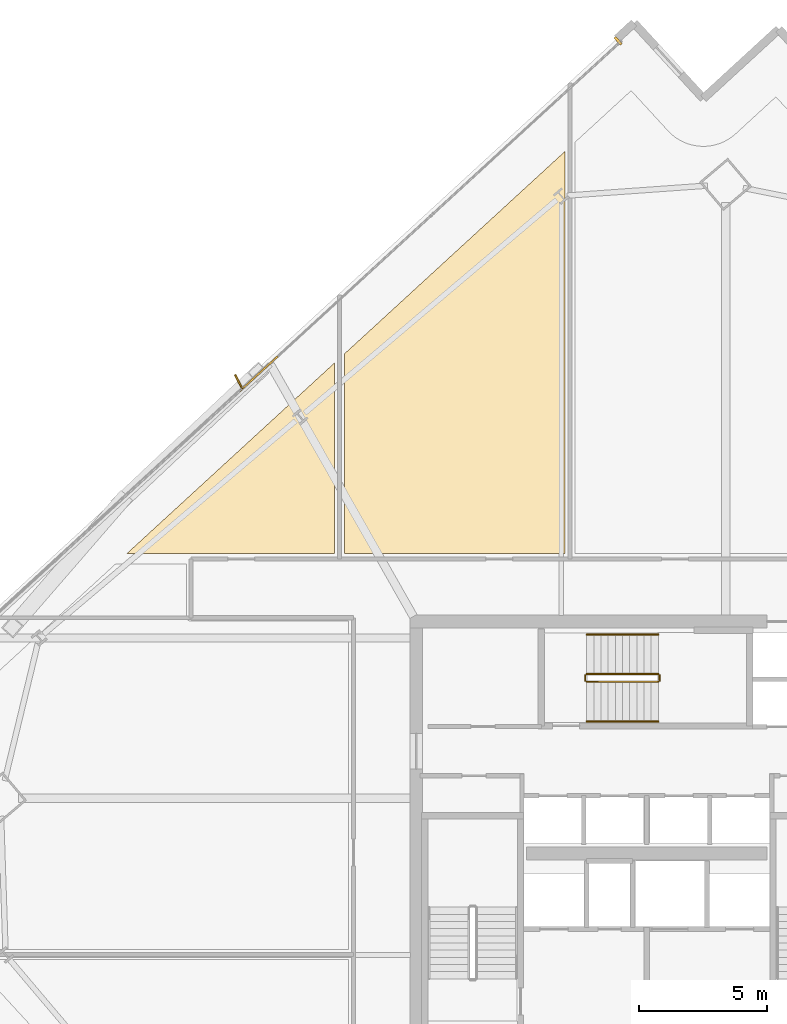
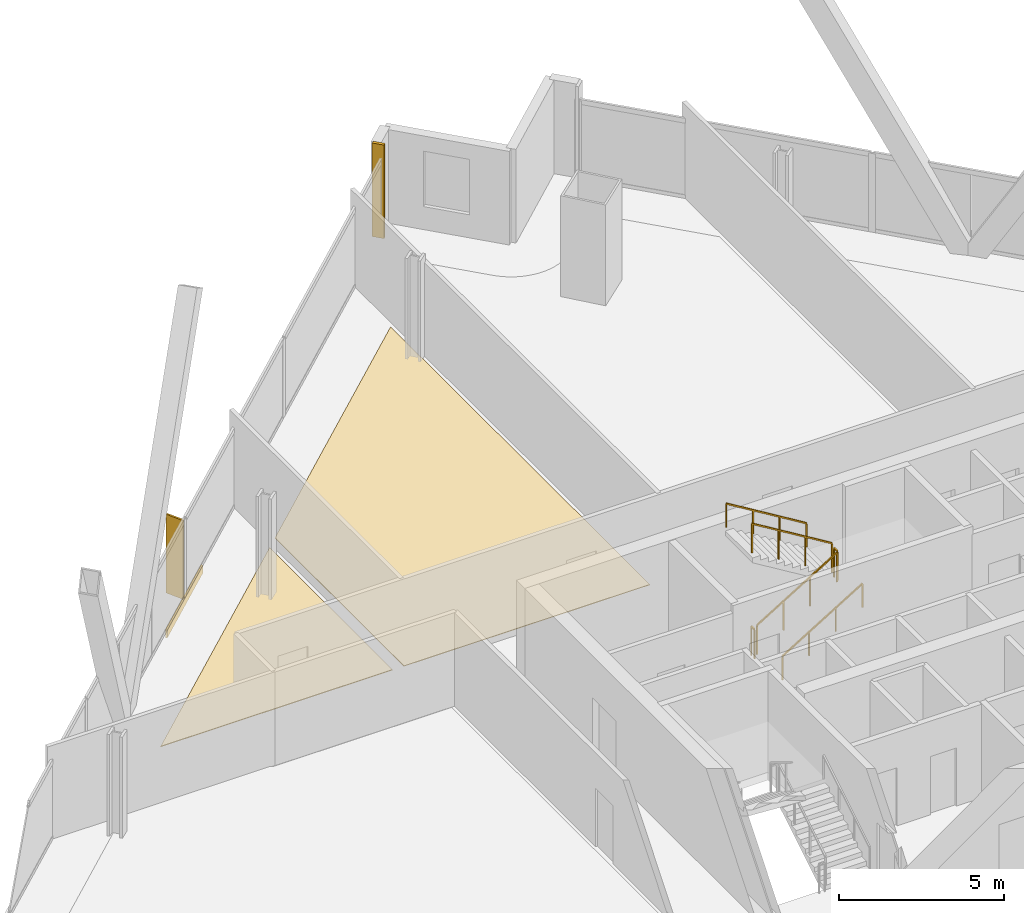
# One storey, part 31 of 32: 6 railings, 4 coverings, 1 shading device.
"""IFC4 building model written with IfcOpenShell, lengths in metres."""

from ifc_helpers import new_model, si_unit, direction, frame, origin, origin_2d, place, context, subcontext, project, spatial, polyline, rectangle, outline, extrude, source, transform, mapped, material, layer, layer_set, type_object, element, save


model = new_model("IFC4")

# Units and contexts
model_context = context("Model", 3, precision=1e-05, world=origin(), true_north=direction((0.0, 1.0)))
body_context = subcontext(model_context, "Body", "Model", "MODEL_VIEW")
ifc_project = project(units=[si_unit("LENGTHUNIT", "METRE"), si_unit("AREAUNIT", "SQUARE_METRE"), si_unit("VOLUMEUNIT", "CUBIC_METRE"), si_unit("PLANEANGLEUNIT", "RADIAN"), si_unit("MASSUNIT", "GRAM", prefix="KILO")], contexts=[model_context])

# Site, building, storey
site_placement = place(None, origin())
site = spatial("IfcSite", under=ifc_project, at=site_placement, CompositionType="ELEMENT")
building_placement = place(site_placement, origin())
building = spatial("IfcBuilding", under=site, at=building_placement, Name="Haldenkirk Collegiate Tower", CompositionType="ELEMENT")
storey_placement = place(building_placement, frame((0.0, 0.0, 170.699951171875)))
storey = spatial("IfcBuildingStorey", under=building, at=storey_placement, Name="L42", CompositionType="ELEMENT", Elevation=170.699951171875)

# Coverings
ifc_material_1 = material(Name="Polished collegiate terrazzo", Category="concrete")
ifc_layer_1 = layer(ifc_material_1, 0.02490234375)
ifc_layer_set_1 = layer_set([ifc_layer_1], Name="Polished collegiate terrazzo")
covering_type_1 = type_object("IfcCoveringType", Name="COV-FLOOR-TERRAZZO", PredefinedType="FLOORING", material=ifc_layer_set_1)
covering_1_placement = place(storey_placement, origin())
element("IfcCovering", 1, at=covering_1_placement, inside=storey, type_object=covering_type_1, Name="L42 academic room finish 04", PredefinedType="FLOORING", context=body_context, shape_type="SweptSolid", body=[
    extrude(outline(polyline([(23.800048828125, 44.094482421875), (23.800048828125, 36.64990234375), (15.68994140625, 36.64990234375), (23.800048828125, 44.094482421875)])), origin(), (0.0, 0.0, 1.0), 0.025146484375),
])
ifc_material_2 = material(Name="Engineered collegiate oak acoustic flooring", Category="wood")
ifc_layer_2 = layer(ifc_material_2, 0.02197265625)
ifc_layer_set_2 = layer_set([ifc_layer_2], Name="Engineered collegiate oak acoustic flooring")
covering_type_2 = type_object("IfcCoveringType", Name="COV-FLOOR-TIMBER", PredefinedType="FLOORING", material=ifc_layer_set_2)
covering_2_placement = place(storey_placement, origin())
element("IfcCovering", 2, at=covering_2_placement, inside=storey, type_object=covering_type_2, Name="L42 academic room finish 05", PredefinedType="FLOORING", context=body_context, shape_type="SweptSolid", body=[
    extrude(outline(polyline([(32.800048828125, 52.35595703125), (32.800048828125, 36.64990234375), (24.199951171875, 36.64990234375), (24.199951171875, 44.461669921875), (32.800048828125, 52.35595703125)])), origin(), (0.0, 0.0, 1.0), 0.02197265625),
])

# Railings
ifc_material_3 = material(Name="Painted architectural tubular steel", Category="steel")
railing_type_1 = type_object("IfcRailingType", Name="RLG-STAIR-GUARD-1100", PredefinedType="BALUSTRADE", material=ifc_material_3)
railing_1_placement = place(storey_placement, frame((33.64990234375, 31.64990234375, 0.17041015625)))
element("IfcRailing", 3, at=railing_1_placement, inside=storey, type_object=railing_type_1, Name="L42 ST-3 stair guard 1", PredefinedType="BALUSTRADE", context=body_context, shape_type="SweptSolid", body=[
    extrude(rectangle(XDim=0.048095703125, YDim=0.048095703125, at=origin_2d()), frame((0.0, 0.0, 1.076171875), z_axis=(0.854169791009, 0.0, 0.51999420009), x_axis=(0.0, 1.0, 0.0)), (0.0, 0.0, 1.0), 3.278076171875),
    extrude(rectangle(XDim=0.0419921875, YDim=0.0419921875, at=origin_2d()), origin(), (0.0, 0.0, 1.0), 1.052001953125),
    extrude(rectangle(XDim=0.0419921875, YDim=0.0419921875, at=origin_2d()), frame((0.933349609375, 0.0, 0.568115234375)), (0.0, 0.0, 1.0), 1.052001953125),
    extrude(rectangle(XDim=0.0419921875, YDim=0.0419921875, at=origin_2d()), frame((1.86669921875, 0.0, 1.136474609375)), (0.0, 0.0, 1.0), 1.052001953125),
    extrude(rectangle(XDim=0.0419921875, YDim=0.0419921875, at=origin_2d()), frame((2.800048828125, 0.0, 1.70458984375)), (0.0, 0.0, 1.0), 1.052001953125),
])
railing_2_placement = place(storey_placement, frame((36.5, 31.699951171875, 1.875)))
element("IfcRailing", 4, at=railing_2_placement, inside=storey, type_object=railing_type_1, Name="L42 ST-3 stair guard 2", PredefinedType="BALUSTRADE", context=body_context, shape_type="SweptSolid", body=[
    extrude(rectangle(XDim=0.048095703125, YDim=0.048095703125, at=origin_2d()), frame((0.0, 0.0, 1.076171875), z_axis=(0.0, 1.0, 0.0), x_axis=(-1.0, 0.0, 0.0)), (0.0, 0.0, 1.0), 0.199951171875),
    extrude(rectangle(XDim=0.0419921875, YDim=0.0419921875, at=origin_2d()), origin(), (0.0, 0.0, 1.0), 1.052001953125),
    extrude(rectangle(XDim=0.0419921875, YDim=0.0419921875, at=origin_2d()), frame((0.0, 0.199951171875, 0.0)), (0.0, 0.0, 1.0), 1.052001953125),
])
railing_3_placement = place(storey_placement, frame((36.449951171875, 31.949951171875, 2.04541015625)))
element("IfcRailing", 5, at=railing_3_placement, inside=storey, type_object=railing_type_1, Name="L42 ST-3 stair guard 3", PredefinedType="BALUSTRADE", context=body_context, shape_type="SweptSolid", body=[
    extrude(rectangle(XDim=0.048095703125, YDim=0.048095703125, at=origin_2d()), frame((0.0, 0.0, 1.076171875), z_axis=(-0.854169791009, 0.0, 0.51999420009), x_axis=(0.0, -1.0, 0.0)), (0.0, 0.0, 1.0), 3.278076171875),
    extrude(rectangle(XDim=0.0419921875, YDim=0.0419921875, at=origin_2d()), origin(), (0.0, 0.0, 1.0), 1.052001953125),
    extrude(rectangle(XDim=0.0419921875, YDim=0.0419921875, at=origin_2d()), frame((-0.933349609375, 0.0, 0.568115234375)), (0.0, 0.0, 1.0), 1.052001953125),
    extrude(rectangle(XDim=0.0419921875, YDim=0.0419921875, at=origin_2d()), frame((-1.86669921875, 0.0, 1.136474609375)), (0.0, 0.0, 1.0), 1.052001953125),
    extrude(rectangle(XDim=0.0419921875, YDim=0.0419921875, at=origin_2d()), frame((-2.800048828125, 0.0, 1.70458984375)), (0.0, 0.0, 1.0), 1.052001953125),
])
railing_4_placement = place(storey_placement, frame((33.60009765625, 31.699951171875, 0.0)))
element("IfcRailing", 6, at=railing_4_placement, inside=storey, type_object=railing_type_1, Name="L42 ST-3 stair guard 4", PredefinedType="BALUSTRADE", context=body_context, shape_type="SweptSolid", body=[
    extrude(rectangle(XDim=0.048095703125, YDim=0.048095703125, at=origin_2d()), frame((0.0, 0.0, 1.076171875), z_axis=(0.0, 1.0, 0.0), x_axis=(-1.0, 0.0, 0.0)), (0.0, 0.0, 1.0), 0.199951171875),
    extrude(rectangle(XDim=0.0419921875, YDim=0.0419921875, at=origin_2d()), origin(), (0.0, 0.0, 1.0), 1.052001953125),
    extrude(rectangle(XDim=0.0419921875, YDim=0.0419921875, at=origin_2d()), frame((0.0, 0.199951171875, 0.0)), (0.0, 0.0, 1.0), 1.052001953125),
])
railing_type_2 = type_object("IfcRailingType", Name="RLG-STAIR-HANDRAIL-900", PredefinedType="HANDRAIL", material=ifc_material_3)
railing_5_placement = place(storey_placement, frame((33.64990234375, 30.10009765625, 0.17041015625)))
element("IfcRailing", 7, at=railing_5_placement, inside=storey, type_object=railing_type_2, Name="L42 ST-3 stair handrail 1", PredefinedType="HANDRAIL", context=body_context, shape_type="SweptSolid", body=[
    extrude(rectangle(XDim=0.048095703125, YDim=0.048095703125, at=origin_2d()), frame((0.0, 0.0, 0.8759765625), z_axis=(0.854169791009, 0.0, 0.51999420009), x_axis=(0.0, 1.0, 0.0)), (0.0, 0.0, 1.0), 3.278076171875),
    extrude(rectangle(XDim=0.0419921875, YDim=0.0419921875, at=origin_2d()), origin(), (0.0, 0.0, 1.0), 0.851806640625),
    extrude(rectangle(XDim=0.0419921875, YDim=0.0419921875, at=origin_2d()), frame((0.933349609375, 0.0, 0.568115234375)), (0.0, 0.0, 1.0), 0.851806640625),
    extrude(rectangle(XDim=0.0419921875, YDim=0.0419921875, at=origin_2d()), frame((1.86669921875, 0.0, 1.136474609375)), (0.0, 0.0, 1.0), 0.851806640625),
    extrude(rectangle(XDim=0.0419921875, YDim=0.0419921875, at=origin_2d()), frame((2.800048828125, 0.0, 1.70458984375)), (0.0, 0.0, 1.0), 0.851806640625),
])
railing_6_placement = place(storey_placement, frame((36.449951171875, 33.5, 2.04541015625)))
element("IfcRailing", 8, at=railing_6_placement, inside=storey, type_object=railing_type_2, Name="L42 ST-3 stair handrail 2", PredefinedType="HANDRAIL", context=body_context, shape_type="SweptSolid", body=[
    extrude(rectangle(XDim=0.048095703125, YDim=0.048095703125, at=origin_2d()), frame((0.0, 0.0, 0.8759765625), z_axis=(-0.854169791009, 0.0, 0.51999420009), x_axis=(0.0, -1.0, 0.0)), (0.0, 0.0, 1.0), 3.278076171875),
    extrude(rectangle(XDim=0.0419921875, YDim=0.0419921875, at=origin_2d()), origin(), (0.0, 0.0, 1.0), 0.851806640625),
    extrude(rectangle(XDim=0.0419921875, YDim=0.0419921875, at=origin_2d()), frame((-0.933349609375, 0.0, 0.568115234375)), (0.0, 0.0, 1.0), 0.851806640625),
    extrude(rectangle(XDim=0.0419921875, YDim=0.0419921875, at=origin_2d()), frame((-1.86669921875, 0.0, 1.136474609375)), (0.0, 0.0, 1.0), 0.851806640625),
    extrude(rectangle(XDim=0.0419921875, YDim=0.0419921875, at=origin_2d()), frame((-2.800048828125, 0.0, 1.70458984375)), (0.0, 0.0, 1.0), 0.851806640625),
])

# Coverings
ifc_material_4 = material(Name="Anodised architectural bronze aluminium", Category="aluminium")
ifc_layer_3 = layer(ifc_material_4, 0.06005859375)
ifc_layer_set_3 = layer_set([ifc_layer_3], Name="Anodised architectural bronze aluminium")
covering_type_3 = type_object("IfcCoveringType", Name="COV-CLAD-BRONZE-60", PredefinedType="CLADDING", material=ifc_layer_set_3)
shared_shape_1 = source(origin(), body_context, "Body", "SweptSolid", [
    extrude(rectangle(XDim=3.60009765625, YDim=0.06005859375, at=origin_2d()), origin(), (0.0, 0.0, 1.0), 0.300048828125),
])
covering_3_placement = place(storey_placement, frame((20.263916015625, 43.142578125, -0.2998046875), z_axis=(0.0, 0.0, 1.0), x_axis=(0.736687492475, 0.67623334614, 0.0)))
element("IfcCovering", 9, at=covering_3_placement, inside=storey, type_object=covering_type_3, Name="L42 architectural bronze spandrel cladding N", PredefinedType="CLADDING", context=body_context, shape_type="MappedRepresentation", body=[
    mapped(shared_shape_1, transform((0.0, 0.0, 0.0), x_axis=(1.0, 0.0, 0.0), y_axis=(0.0, 1.0, 0.0), z_axis=(0.0, 0.0, 1.0), scale=1.0)),
])
shared_shape_2 = source(origin(), body_context, "Body", "SweptSolid", [
    extrude(rectangle(XDim=0.10009765625, YDim=0.3798828125, at=origin_2d()), origin(), (0.0, 0.0, 1.0), 3.4599609375),
])
covering_4_placement = place(storey_placement, frame((34.878173828125, 56.6796875, 0.0), z_axis=(0.0, 0.0, 1.0), x_axis=(0.736687492475, 0.67623334614, 0.0)))
element("IfcCovering", 10, at=covering_4_placement, inside=storey, type_object=covering_type_3, Name="L42 recessed curtain-wall bronze jamb closure NJR", PredefinedType="CLADDING", context=body_context, shape_type="MappedRepresentation", body=[
    mapped(shared_shape_2, transform((0.0, 0.0, 0.0), x_axis=(1.0, 0.0, 0.0), y_axis=(0.0, 1.0, 0.0), z_axis=(0.0, 0.0, 1.0), scale=1.0)),
])

# Shading device
ifc_layer_4 = layer(ifc_material_4, 0.06494140625)
ifc_layer_set_4 = layer_set([ifc_layer_4], Name="Anodised architectural bronze aluminium")
shading_device_type = type_object("IfcShadingDeviceType", Name="SHD-FIN-BRONZE-620", PredefinedType="USERDEFINED", material=ifc_layer_set_4)
shared_shape_3 = source(origin(), body_context, "Body", "SweptSolid", [
    extrude(rectangle(XDim=0.6201171875, YDim=0.06494140625, at=origin_2d()), origin(), (0.0, 0.0, 1.0), 2.910888671875),
])
shading_device_placement = place(storey_placement, frame((20.064697265625, 43.360107421875, 0.0), z_axis=(0.0, 0.0, 1.0), x_axis=(-0.446978620671, 0.894544639838, 0.0)))
element("IfcShadingDevice", 11, at=shading_device_placement, inside=storey, type_object=shading_device_type, Name="L42 folded bronze solar fin 1", ObjectType="FIN", PredefinedType="USERDEFINED", context=body_context, shape_type="MappedRepresentation", body=[
    mapped(shared_shape_3, transform((0.0, 0.0, 0.0), x_axis=(1.0, 0.0, 0.0), y_axis=(0.0, 1.0, 0.0), z_axis=(0.0, 0.0, 1.0), scale=1.0)),
])

save(model, "model.ifc")
